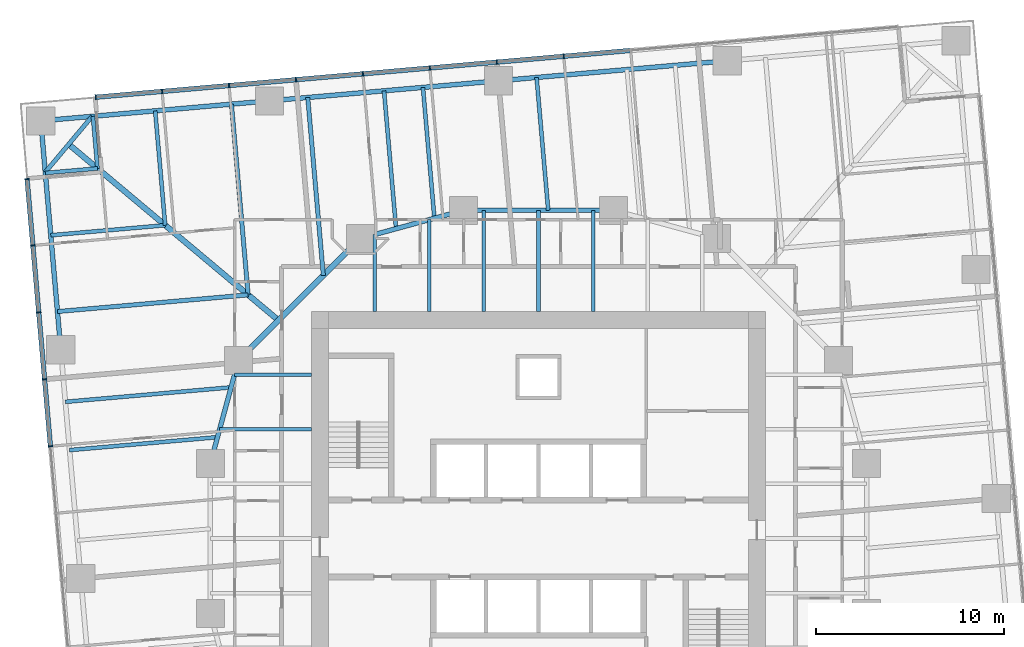
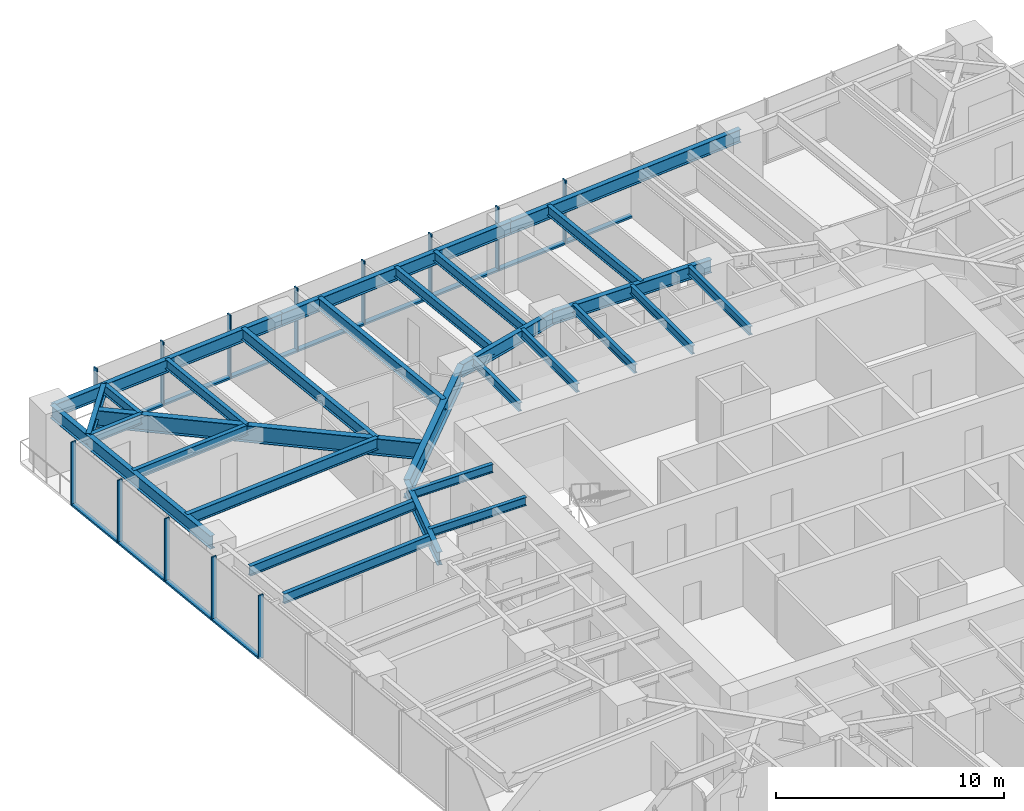
# One storey, part 5 of 14: 29 beams, 25 members, 2 elements without a shape of their own.
"""IFC4 building model written with IfcOpenShell, lengths in metres."""

import ifcopenshell
import ifcopenshell.guid

model = None  # the IFC model being written
_history = None  # IfcOwnerHistory: only IFC2X3 demands one
_inside = {}  # id of a spatial element -> (the spatial element, [elements in it])
_under = {}  # id of a project, library or spatial element -> (it, [spatial elements below it])
_declared = {}  # id of a project -> (the project, [libraries it declares])
_typed = {}  # id of a type object -> (the type object, [elements of that type])
_made_of = {}  # id of a material, layer set ... -> (it, [elements and type objects made of it])


def new_model(schema):
    """Start an empty IFC model of exactly this schema.

    Asked for "IFC4X3", IfcOpenShell would pick the latest addendum, in which some entities
    have other attributes; the version numbers below select the first issue.
    IFC2X3 requires an IfcOwnerHistory on every rooted entity: one is made here for all.
    """
    global model, _history
    if schema == "IFC4X3":
        model = ifcopenshell.file(schema_version=(4, 3, 0, 0))
    else:
        model = ifcopenshell.file(schema=schema)
    _inside.clear()
    _under.clear()
    _declared.clear()
    _typed.clear()
    _made_of.clear()
    _history = None
    if model.schema == "IFC2X3":
        org = make("IfcOrganization", Name="unknown")
        user = make(
            "IfcPersonAndOrganization",
            ThePerson=make("IfcPerson", FamilyName="unknown"),
            TheOrganization=org,
        )
        app = make(
            "IfcApplication",
            ApplicationDeveloper=org,
            Version="unknown",
            ApplicationFullName="unknown",
            ApplicationIdentifier="unknown",
        )
        _history = make(
            "IfcOwnerHistory",
            OwningUser=user,
            OwningApplication=app,
            ChangeAction="ADDED",
            CreationDate=0,
        )
    return model


def make(cls, **values):
    """One entity of the class cls with the attributes given. An attribute that is None is left unset."""
    return model.create_entity(
        cls, **{name: value for name, value in values.items() if value is not None}
    )


def rooted(cls, **values):
    """An entity with a GlobalId (a new one), such as an element, a storey or a relation."""
    return make(cls, GlobalId=ifcopenshell.guid.new(), OwnerHistory=_history, **values)


def si_unit(unit_type, name, prefix=None):
    """IfcSIUnit, for example si_unit("LENGTHUNIT", "METRE", prefix="MILLI")."""
    return make("IfcSIUnit", UnitType=unit_type, Prefix=prefix, Name=name)


def assignment(units):
    """IfcUnitAssignment: the units of a project."""
    return None if units is None else make("IfcUnitAssignment", Units=units)


def point(xyz):
    """IfcCartesianPoint."""
    return None if xyz is None else make("IfcCartesianPoint", Coordinates=xyz)


def direction(xyz):
    """IfcDirection."""
    return None if xyz is None else make("IfcDirection", DirectionRatios=xyz)


def frame(location, z_axis=None, x_axis=None):
    """IfcAxis2Placement3D, a coordinate frame: its origin and axes. An axis left out is left unset."""
    return make(
        "IfcAxis2Placement3D",
        Location=point(location),
        Axis=direction(z_axis),
        RefDirection=direction(x_axis),
    )


def frame_2d(location, x_axis=None):
    """IfcAxis2Placement2D, a coordinate frame in the plane: its origin and x axis."""
    return make(
        "IfcAxis2Placement2D", Location=point(location), RefDirection=direction(x_axis)
    )


def origin():
    """The frame at (0, 0, 0) with its axes left unset."""
    return frame((0.0, 0.0, 0.0))


def origin_2d():
    """The frame at (0, 0) in the plane with its x axis left unset."""
    return frame_2d((0.0, 0.0))


def place(relative_to, where):
    """IfcLocalPlacement: puts the frame where relative to a parent placement (None: the world)."""
    return make(
        "IfcLocalPlacement", PlacementRelTo=relative_to, RelativePlacement=where
    )


def context(
    kind, dimensions, precision=None, world=None, true_north=None, identifier=None
):
    """IfcGeometricRepresentationContext, for example the 3D "Model" context."""
    return make(
        "IfcGeometricRepresentationContext",
        ContextIdentifier=identifier,
        ContextType=kind,
        CoordinateSpaceDimension=dimensions,
        Precision=precision,
        WorldCoordinateSystem=world,
        TrueNorth=true_north,
    )


def subcontext(parent, identifier, kind, view, scale=None):
    """IfcGeometricRepresentationSubContext, for example "Body" below "Model"."""
    return make(
        "IfcGeometricRepresentationSubContext",
        ContextIdentifier=identifier,
        ContextType=kind,
        ParentContext=parent,
        TargetScale=scale,
        TargetView=view,
    )


def project(units=None, contexts=None):
    """IfcProject with its units and contexts."""
    return rooted(
        "IfcProject",
        Name="project",
        RepresentationContexts=contexts,
        UnitsInContext=assignment(units),
    )


def spatial(cls, under=None, at=None, **own):
    """A site, building, storey or space (cls), placed at a placement, below another one or the project."""
    s = rooted(cls, ObjectPlacement=at, **own)
    if under is not None:
        _under.setdefault(under.id(), (under, []))[1].append(s)
    return s


def profile(cls, at=None, kind="AREA", **sizes):
    """A parametric profile (cls). Its sizes go by their IFC names, for example OverallWidth=200.0."""
    return make(cls, ProfileType=kind, Position=at, **sizes)


def rectangle(**sizes):
    """IfcRectangleProfileDef."""
    return profile("IfcRectangleProfileDef", **sizes)


def i_section(**sizes):
    """IfcIShapeProfileDef."""
    return profile("IfcIShapeProfileDef", **sizes)


def extrude(swept, where, along, depth):
    """IfcExtrudedAreaSolid: the profile swept, set in the frame where, extruded along a direction by depth."""
    return make(
        "IfcExtrudedAreaSolid",
        SweptArea=swept,
        Position=where,
        ExtrudedDirection=direction(along),
        Depth=depth,
    )


def shape(context_of_items, identifier, shape_type, items):
    """IfcShapeRepresentation: the items that make up one representation, for example the "Body"."""
    return make(
        "IfcShapeRepresentation",
        ContextOfItems=context_of_items,
        RepresentationIdentifier=identifier,
        RepresentationType=shape_type,
        Items=items,
    )


def material(Name=None, Category=None):
    """IfcMaterial."""
    return make("IfcMaterial", Name=Name, Category=Category)


def material_profile(
    of_material, cross_section, Name=None, Category=None, Priority=None
):
    """IfcMaterialProfile: a cross section and its material."""
    return make(
        "IfcMaterialProfile",
        Name=Name,
        Material=of_material,
        Profile=cross_section,
        Priority=Priority,
        Category=Category,
    )


def profile_set(profiles, Name=None, composite=None):
    """IfcMaterialProfileSet."""
    return make(
        "IfcMaterialProfileSet",
        Name=Name,
        MaterialProfiles=profiles,
        CompositeProfile=composite,
    )


def made_of(thing, what):
    """Note that an element or type object is made of a material, layer set ...; save() writes the relation."""
    if what is not None:
        _made_of.setdefault(what.id(), (what, []))[1].append(thing)
    return thing


def type_object(cls, material=None, **own):
    """A type object (cls), such as IfcWallType, which elements share."""
    return made_of(rooted(cls, **own), material)


def element(
    cls,
    number,
    at=None,
    inside=None,
    cuts=None,
    type_object=None,
    material=None,
    context=None,
    identifier="Body",
    shape_type=None,
    held_by="IfcProductDefinitionShape",
    body=None,
    shapes=None,
    **own,
):
    """One element of the class cls, such as IfcWall. Its Tag is "e" and its number.

    at: its placement. inside: the storey or other place that contains it. cuts: it is an
    opening in that element (IfcRelVoidsElement). A single representation is given by context,
    identifier, shape_type and body (its items); several are given by shapes. held_by: the class
    of the entity that holds the representations. save() writes the other relations.
    """
    e = rooted(cls, Tag="e%d" % number, ObjectPlacement=at, **own)
    if body is not None:
        shapes = [shape(context, identifier, shape_type, body)]
    if shapes is not None:
        e.Representation = make(held_by, Representations=shapes)
    if inside is not None:
        _inside.setdefault(inside.id(), (inside, []))[1].append(e)
    if cuts is not None:
        rooted(
            "IfcRelVoidsElement", RelatingBuildingElement=cuts, RelatedOpeningElement=e
        )
    if type_object is not None:
        _typed.setdefault(type_object.id(), (type_object, []))[1].append(e)
    return made_of(e, material)


def aggregate(whole, parts):
    """IfcRelAggregates: a whole, such as a stair, and the parts it consists of."""
    return rooted("IfcRelAggregates", RelatingObject=whole, RelatedObjects=parts)


def save(model, path):
    """Write the relations noted so far, then the file.

    IfcRelAggregates (storeys below a building ...), IfcRelContainedInSpatialStructure (elements
    in a storey), IfcRelDefinesByType, IfcRelAssociatesMaterial and IfcRelDeclares: one each for
    every whole, place, type object, material and project.
    """
    for whole, parts in _under.values():
        aggregate(whole, parts)
    for where, things in _inside.values():
        rooted(
            "IfcRelContainedInSpatialStructure",
            RelatedElements=things,
            RelatingStructure=where,
        )
    for kind, things in _typed.values():
        rooted("IfcRelDefinesByType", RelatedObjects=things, RelatingType=kind)
    for what, things in _made_of.values():
        rooted("IfcRelAssociatesMaterial", RelatedObjects=things, RelatingMaterial=what)
    for by, libraries in _declared.values():
        rooted("IfcRelDeclares", RelatingContext=by, RelatedDefinitions=libraries)
    model.write(path)


model = new_model("IFC4")

# Units and contexts
model_context = context("Model", 3, precision=1e-05, world=origin(), true_north=direction((0.0, 1.0)))
body_context = subcontext(model_context, "Body", "Model", "MODEL_VIEW")
ifc_project = project(units=[si_unit("LENGTHUNIT", "METRE"), si_unit("AREAUNIT", "SQUARE_METRE"), si_unit("VOLUMEUNIT", "CUBIC_METRE"), si_unit("PLANEANGLEUNIT", "RADIAN"), si_unit("MASSUNIT", "GRAM", prefix="KILO")], contexts=[model_context])

# Site, building, storey
site_placement = place(None, origin())
site = spatial("IfcSite", under=ifc_project, at=site_placement, CompositionType="ELEMENT")
building_placement = place(site_placement, origin())
building = spatial("IfcBuilding", under=site, at=building_placement, Name="Torsade Residences", CompositionType="ELEMENT")
storey_placement = place(building_placement, frame((0.0, 0.0, 57.39990234375)))
storey = spatial("IfcBuildingStorey", under=building, at=storey_placement, Name="L15", CompositionType="ELEMENT", Elevation=57.39990234375)

# Beams
ifc_material_1 = material(Name="Steel grade 300", Category="steel")
ifc_material_profile_1 = material_profile(ifc_material_1, i_section(OverallWidth=0.300048828125, OverallDepth=0.89990234375, WebThickness=0.011962890625, FlangeThickness=0.02490234375, at=origin_2d()), Name="900WB175")
ifc_profile_set_1 = profile_set([ifc_material_profile_1], Name="Steel grade 300")
beam_type_1 = type_object("IfcBeamType", Name="CORNER GIRDER 900WB175", PredefinedType="BEAM", material=ifc_profile_set_1)
beam_1_placement = place(storey_placement, frame((14.947509765625, 51.021484375, 2.800048828125), z_axis=(0.766046281307, -0.642785419012, 0.0), x_axis=(0.642785419012, 0.766046281307, 0.0)))
element("IfcBeam", 1, at=beam_1_placement, inside=storey, type_object=beam_type_1, Name="Corner girder 13 L16", PredefinedType="BEAM", context=body_context, shape_type="SweptSolid", body=[
    extrude(i_section(OverallWidth=0.300048828125, OverallDepth=0.89990234375, WebThickness=0.011962890625, FlangeThickness=0.02490234375, at=origin_2d()), origin(), (0.0, 0.0, 1.0), 14.603515625),
])
ifc_material_2 = material(Name="Steel grade 300", Category="steel")
ifc_material_profile_2 = material_profile(ifc_material_2, i_section(OverallWidth=0.22802734375, OverallDepth=0.60205078125, WebThickness=0.010498046875, FlangeThickness=0.014892578125, FilletRadius=0.013916015625, at=origin_2d()), Name="610UB101")
ifc_profile_set_2 = profile_set([ifc_material_profile_2], Name="Steel grade 300")
beam_type_2 = type_object("IfcBeamType", Name="CORNER TRIMMER 610UB101", PredefinedType="BEAM", material=ifc_profile_set_2)
beam_2_placement = place(storey_placement, frame((13.697509765625, 49.531982421875, 2.94921875), z_axis=(0.642804819911, 0.766030001697, 0.0), x_axis=(-0.766030001697, 0.642804819911, 0.0)))
element("IfcBeam", 2, at=beam_2_placement, inside=storey, type_object=beam_type_2, Name="Corner trimmer 13 L16", PredefinedType="BEAM", context=body_context, shape_type="SweptSolid", body=[
    extrude(i_section(OverallWidth=0.22802734375, OverallDepth=0.60205078125, WebThickness=0.010498046875, FlangeThickness=0.014892578125, FilletRadius=0.013916015625, at=origin_2d()), origin(), (0.0, 0.0, 1.0), 3.88916015625),
])

# Curtain wall, members
ifc_material_3 = material(Name="Aluminium and glass", Category="aluminium")
curtain_wall_type = type_object("IfcCurtainWallType", Name="FRITTED GLASS CURTAIN WALL LOW ZONE", PredefinedType="NOTDEFINED", material=ifc_material_3)
curtain_wall_1_placement = place(storey_placement, origin())
curtain_wall_1 = element("IfcCurtainWall", 3, at=curtain_wall_1_placement, inside=storey, type_object=curtain_wall_type, Name="Curtain wall L15 face 7", PredefinedType="NOTDEFINED")
ifc_material_4 = material(Name="Aluminium mullion", Category="aluminium")
ifc_material_profile_3 = material_profile(ifc_material_4, rectangle(XDim=0.25, YDim=0.06494140625, at=origin_2d()), Name="CURTAIN WALL MULLION 250x65")
ifc_profile_set_3 = profile_set([ifc_material_profile_3], Name="Aluminium mullion")
member_type_1 = type_object("IfcMemberType", Name="CURTAIN WALL MULLION 250x65", PredefinedType="MULLION", material=ifc_profile_set_3)
member_1_placement = place(storey_placement, frame((41.34716796875, 55.71533203125, 0.0), z_axis=(0.0, 0.0, 1.0), x_axis=(0.087155744208, -0.996194697964, 0.0)))
member_1 = element("IfcMember", 4, at=member_1_placement, type_object=member_type_1, Name="Mullion 6", PredefinedType="MULLION", context=body_context, shape_type="SweptSolid", body=[
    extrude(rectangle(XDim=0.25, YDim=0.06494140625, at=origin_2d()), origin(), (0.0, 0.0, 1.0), 3.400146484375),
])
member_2_placement = place(storey_placement, frame((37.777587890625, 55.403076171875, 0.0), z_axis=(0.0, 0.0, 1.0), x_axis=(0.087155744208, -0.996194697964, 0.0)))
member_2 = element("IfcMember", 5, at=member_2_placement, type_object=member_type_1, Name="Mullion 7", PredefinedType="MULLION", context=body_context, shape_type="SweptSolid", body=[
    extrude(rectangle(XDim=0.25, YDim=0.06494140625, at=origin_2d()), origin(), (0.0, 0.0, 1.0), 3.400146484375),
])
member_3_placement = place(storey_placement, frame((34.207763671875, 55.090576171875, 0.0), z_axis=(0.0, 0.0, 1.0), x_axis=(0.087155744208, -0.996194697964, 0.0)))
member_3 = element("IfcMember", 6, at=member_3_placement, type_object=member_type_1, Name="Mullion 8", PredefinedType="MULLION", context=body_context, shape_type="SweptSolid", body=[
    extrude(rectangle(XDim=0.25, YDim=0.06494140625, at=origin_2d()), origin(), (0.0, 0.0, 1.0), 3.400146484375),
])
member_4_placement = place(storey_placement, frame((30.63818359375, 54.7783203125, 0.0), z_axis=(0.0, 0.0, 1.0), x_axis=(0.087155744208, -0.996194697964, 0.0)))
member_4 = element("IfcMember", 7, at=member_4_placement, type_object=member_type_1, Name="Mullion 9", PredefinedType="MULLION", context=body_context, shape_type="SweptSolid", body=[
    extrude(rectangle(XDim=0.25, YDim=0.06494140625, at=origin_2d()), origin(), (0.0, 0.0, 1.0), 3.400146484375),
])
member_5_placement = place(storey_placement, frame((27.068359375, 54.466064453125, 0.0), z_axis=(0.0, 0.0, 1.0), x_axis=(0.087155744208, -0.996194697964, 0.0)))
member_5 = element("IfcMember", 8, at=member_5_placement, type_object=member_type_1, Name="Mullion 10", PredefinedType="MULLION", context=body_context, shape_type="SweptSolid", body=[
    extrude(rectangle(XDim=0.25, YDim=0.06494140625, at=origin_2d()), origin(), (0.0, 0.0, 1.0), 3.400146484375),
])
member_6_placement = place(storey_placement, frame((23.498779296875, 54.15380859375, 0.0), z_axis=(0.0, 0.0, 1.0), x_axis=(0.087155744208, -0.996194697964, 0.0)))
member_6 = element("IfcMember", 9, at=member_6_placement, type_object=member_type_1, Name="Mullion 11", PredefinedType="MULLION", context=body_context, shape_type="SweptSolid", body=[
    extrude(rectangle(XDim=0.25, YDim=0.06494140625, at=origin_2d()), origin(), (0.0, 0.0, 1.0), 3.400146484375),
])
member_7_placement = place(storey_placement, frame((19.928955078125, 53.84130859375, 0.0), z_axis=(0.0, 0.0, 1.0), x_axis=(0.087155744208, -0.996194697964, 0.0)))
member_7 = element("IfcMember", 10, at=member_7_placement, type_object=member_type_1, Name="Mullion 12", PredefinedType="MULLION", context=body_context, shape_type="SweptSolid", body=[
    extrude(rectangle(XDim=0.25, YDim=0.06494140625, at=origin_2d()), origin(), (0.0, 0.0, 1.0), 3.400146484375),
])
member_8_placement = place(storey_placement, frame((16.3916015625, 53.531982421875, 0.0), z_axis=(0.0, 0.0, 1.0), x_axis=(0.087155744208, -0.996194697964, 0.0)))
member_8 = element("IfcMember", 11, at=member_8_placement, type_object=member_type_1, Name="Mullion 13", PredefinedType="MULLION", context=body_context, shape_type="SweptSolid", body=[
    extrude(rectangle(XDim=0.25, YDim=0.06494140625, at=origin_2d()), origin(), (0.0, 0.0, 1.0), 3.400146484375),
])

curtain_wall_2_placement = place(storey_placement, origin())
curtain_wall_2 = element("IfcCurtainWall", 12, at=curtain_wall_2_placement, inside=storey, type_object=curtain_wall_type, Name="Curtain wall L15 face 10", PredefinedType="NOTDEFINED")
member_9_placement = place(storey_placement, frame((12.72607421875, 49.163330078125, 0.0), z_axis=(0.0, 0.0, 1.0), x_axis=(0.996194697964, 0.087155744208, 0.0)))
member_9 = element("IfcMember", 13, at=member_9_placement, type_object=member_type_1, Name="Mullion 1", PredefinedType="MULLION", context=body_context, shape_type="SweptSolid", body=[
    extrude(rectangle(XDim=0.25, YDim=0.06494140625, at=origin_2d()), origin(), (0.0, 0.0, 1.0), 3.400146484375),
])
member_10_placement = place(storey_placement, frame((13.035400390625, 45.6259765625, 0.0), z_axis=(0.0, 0.0, 1.0), x_axis=(0.996194697964, 0.087155744208, 0.0)))
member_10 = element("IfcMember", 14, at=member_10_placement, type_object=member_type_1, Name="Mullion 2", PredefinedType="MULLION", context=body_context, shape_type="SweptSolid", body=[
    extrude(rectangle(XDim=0.25, YDim=0.06494140625, at=origin_2d()), origin(), (0.0, 0.0, 1.0), 3.400146484375),
])
member_11_placement = place(storey_placement, frame((13.347900390625, 42.056396484375, 0.0), z_axis=(0.0, 0.0, 1.0), x_axis=(0.996194697964, 0.087155744208, 0.0)))
member_11 = element("IfcMember", 15, at=member_11_placement, type_object=member_type_1, Name="Mullion 3", PredefinedType="MULLION", context=body_context, shape_type="SweptSolid", body=[
    extrude(rectangle(XDim=0.25, YDim=0.06494140625, at=origin_2d()), origin(), (0.0, 0.0, 1.0), 3.400146484375),
])
member_12_placement = place(storey_placement, frame((13.66015625, 38.486572265625, 0.0), z_axis=(0.0, 0.0, 1.0), x_axis=(0.996194697964, 0.087155744208, 0.0)))
member_12 = element("IfcMember", 16, at=member_12_placement, type_object=member_type_1, Name="Mullion 4", PredefinedType="MULLION", context=body_context, shape_type="SweptSolid", body=[
    extrude(rectangle(XDim=0.25, YDim=0.06494140625, at=origin_2d()), origin(), (0.0, 0.0, 1.0), 3.400146484375),
])
member_13_placement = place(storey_placement, frame((13.972412109375, 34.9169921875, 0.0), z_axis=(0.0, 0.0, 1.0), x_axis=(0.996194697964, 0.087155744208, 0.0)))
member_13 = element("IfcMember", 17, at=member_13_placement, type_object=member_type_1, Name="Mullion 5", PredefinedType="MULLION", context=body_context, shape_type="SweptSolid", body=[
    extrude(rectangle(XDim=0.25, YDim=0.06494140625, at=origin_2d()), origin(), (0.0, 0.0, 1.0), 3.400146484375),
])

# Member
ifc_material_5 = material(Name="Aluminium transom", Category="aluminium")
ifc_material_profile_4 = material_profile(ifc_material_5, rectangle(XDim=0.25, YDim=0.10009765625, at=origin_2d()), Name="CURTAIN WALL TRANSOM 250x100")
ifc_profile_set_4 = profile_set([ifc_material_profile_4], Name="Aluminium transom")
member_type_2 = type_object("IfcMemberType", Name="CURTAIN WALL TRANSOM 250x100", PredefinedType="USERDEFINED", material=ifc_profile_set_4)
member_14_placement = place(storey_placement, frame((44.884521484375, 56.024658203125, 0.050048828125), z_axis=(-0.996194621295, -0.087156620531, 0.0), x_axis=(0.087156620531, -0.996194621295, 0.0)))
member_14 = element("IfcMember", 18, at=member_14_placement, type_object=member_type_2, Name="Transom 5.1", ObjectType="TRANSOM", PredefinedType="USERDEFINED", context=body_context, shape_type="SweptSolid", body=[
    extrude(rectangle(XDim=0.25, YDim=0.10009765625, at=origin_2d()), origin(), (0.0, 0.0, 1.0), 3.518310546875),
])

member_15_placement = place(storey_placement, frame((41.31494140625, 55.71240234375, 0.050048828125), z_axis=(-0.996195148363, -0.08715059597, 0.0), x_axis=(0.08715059597, -0.996195148363, 0.0)))
member_15 = element("IfcMember", 19, at=member_15_placement, type_object=member_type_2, Name="Transom 6.1", ObjectType="TRANSOM", PredefinedType="USERDEFINED", context=body_context, shape_type="SweptSolid", body=[
    extrude(rectangle(XDim=0.25, YDim=0.10009765625, at=origin_2d()), origin(), (0.0, 0.0, 1.0), 3.5185546875),
])

member_16_placement = place(storey_placement, frame((37.7451171875, 55.400146484375, 0.050048828125), z_axis=(-0.996194621295, -0.087156620531, 0.0), x_axis=(0.087156620531, -0.996194621295, 0.0)))
member_16 = element("IfcMember", 20, at=member_16_placement, type_object=member_type_2, Name="Transom 7.1", ObjectType="TRANSOM", PredefinedType="USERDEFINED", context=body_context, shape_type="SweptSolid", body=[
    extrude(rectangle(XDim=0.25, YDim=0.10009765625, at=origin_2d()), origin(), (0.0, 0.0, 1.0), 3.518310546875),
])

member_17_placement = place(storey_placement, frame((34.175537109375, 55.087890625, 0.050048828125), z_axis=(-0.996195148363, -0.08715059597, 0.0), x_axis=(0.08715059597, -0.996195148363, 0.0)))
member_17 = element("IfcMember", 21, at=member_17_placement, type_object=member_type_2, Name="Transom 8.1", ObjectType="TRANSOM", PredefinedType="USERDEFINED", context=body_context, shape_type="SweptSolid", body=[
    extrude(rectangle(XDim=0.25, YDim=0.10009765625, at=origin_2d()), origin(), (0.0, 0.0, 1.0), 3.5185546875),
])

member_18_placement = place(storey_placement, frame((30.605712890625, 54.775634765625, 0.050048828125), z_axis=(-0.996194621295, -0.087156620531, 0.0), x_axis=(0.087156620531, -0.996194621295, 0.0)))
member_18 = element("IfcMember", 22, at=member_18_placement, type_object=member_type_2, Name="Transom 9.1", ObjectType="TRANSOM", PredefinedType="USERDEFINED", context=body_context, shape_type="SweptSolid", body=[
    extrude(rectangle(XDim=0.25, YDim=0.10009765625, at=origin_2d()), origin(), (0.0, 0.0, 1.0), 3.518310546875),
])

member_19_placement = place(storey_placement, frame((27.0361328125, 54.463134765625, 0.050048828125), z_axis=(-0.996195148363, -0.08715059597, 0.0), x_axis=(0.08715059597, -0.996195148363, 0.0)))
member_19 = element("IfcMember", 23, at=member_19_placement, type_object=member_type_2, Name="Transom 10.1", ObjectType="TRANSOM", PredefinedType="USERDEFINED", context=body_context, shape_type="SweptSolid", body=[
    extrude(rectangle(XDim=0.25, YDim=0.10009765625, at=origin_2d()), origin(), (0.0, 0.0, 1.0), 3.5185546875),
])

member_20_placement = place(storey_placement, frame((23.46630859375, 54.15087890625, 0.050048828125), z_axis=(-0.996194621295, -0.087156620531, 0.0), x_axis=(0.087156620531, -0.996194621295, 0.0)))
member_20 = element("IfcMember", 24, at=member_20_placement, type_object=member_type_2, Name="Transom 11.1", ObjectType="TRANSOM", PredefinedType="USERDEFINED", context=body_context, shape_type="SweptSolid", body=[
    extrude(rectangle(XDim=0.25, YDim=0.10009765625, at=origin_2d()), origin(), (0.0, 0.0, 1.0), 3.518310546875),
])

member_21_placement = place(storey_placement, frame((19.896728515625, 53.838623046875, 0.050048828125), z_axis=(-0.996191284475, -0.08719475177, 0.0), x_axis=(0.08719475177, -0.996191284475, 0.0)))
member_21 = element("IfcMember", 25, at=member_21_placement, type_object=member_type_2, Name="Transom 12.1", ObjectType="TRANSOM", PredefinedType="USERDEFINED", context=body_context, shape_type="SweptSolid", body=[
    extrude(rectangle(XDim=0.25, YDim=0.10009765625, at=origin_2d()), origin(), (0.0, 0.0, 1.0), 3.48583984375),
])

aggregate(curtain_wall_1, [member_1, member_2, member_3, member_4, member_5, member_6, member_7, member_8, member_14, member_15, member_16, member_17, member_18, member_19, member_20, member_21])

member_22_placement = place(storey_placement, frame((12.728759765625, 49.130859375, 0.050048828125), z_axis=(0.0872008357, -0.996190751941, 0.0), x_axis=(0.996190751941, 0.0872008357, 0.0)))
member_22 = element("IfcMember", 26, at=member_22_placement, type_object=member_type_2, Name="Transom 1.1", ObjectType="TRANSOM", PredefinedType="USERDEFINED", context=body_context, shape_type="SweptSolid", body=[
    extrude(rectangle(XDim=0.25, YDim=0.10009765625, at=origin_2d()), origin(), (0.0, 0.0, 1.0), 3.485595703125),
])

member_23_placement = place(storey_placement, frame((13.038330078125, 45.59375, 0.050048828125), z_axis=(0.08715059597, -0.996195148363, 0.0), x_axis=(0.996195148363, 0.08715059597, 0.0)))
member_23 = element("IfcMember", 27, at=member_23_placement, type_object=member_type_2, Name="Transom 2.1", ObjectType="TRANSOM", PredefinedType="USERDEFINED", context=body_context, shape_type="SweptSolid", body=[
    extrude(rectangle(XDim=0.25, YDim=0.10009765625, at=origin_2d()), origin(), (0.0, 0.0, 1.0), 3.5185546875),
])

member_24_placement = place(storey_placement, frame((13.3505859375, 42.02392578125, 0.050048828125), z_axis=(0.087156620531, -0.996194621295, 0.0), x_axis=(0.996194621295, 0.087156620531, 0.0)))
member_24 = element("IfcMember", 28, at=member_24_placement, type_object=member_type_2, Name="Transom 3.1", ObjectType="TRANSOM", PredefinedType="USERDEFINED", context=body_context, shape_type="SweptSolid", body=[
    extrude(rectangle(XDim=0.25, YDim=0.10009765625, at=origin_2d()), origin(), (0.0, 0.0, 1.0), 3.518310546875),
])

member_25_placement = place(storey_placement, frame((13.662841796875, 38.454345703125, 0.050048828125), z_axis=(0.08715059597, -0.996195148363, 0.0), x_axis=(0.996195148363, 0.08715059597, 0.0)))
member_25 = element("IfcMember", 29, at=member_25_placement, type_object=member_type_2, Name="Transom 4.1", ObjectType="TRANSOM", PredefinedType="USERDEFINED", context=body_context, shape_type="SweptSolid", body=[
    extrude(rectangle(XDim=0.25, YDim=0.10009765625, at=origin_2d()), origin(), (0.0, 0.0, 1.0), 3.5185546875),
])

aggregate(curtain_wall_2, [member_9, member_10, member_11, member_12, member_13, member_22, member_23, member_24, member_25])

# Beams
ifc_material_6 = material(Name="Steel grade 300", Category="steel")
ifc_material_profile_5 = material_profile(ifc_material_6, i_section(OverallWidth=0.25, OverallDepth=0.699951171875, WebThickness=0.010009765625, FlangeThickness=0.02001953125, at=origin_2d()), Name="700WB130")
ifc_profile_set_5 = profile_set([ifc_material_profile_5], Name="Steel grade 300")
beam_type_3 = type_object("IfcBeamType", Name="EDGE BEAM 700WB130", PredefinedType="SPANDREL", material=ifc_profile_set_5)
for number, where, z_axis, x_axis, name in (
    (30, (50.068115234375, 55.474365234375, 2.900146484375), (-0.996194907201, -0.08715335259, 0.0), (0.08715335259, -0.996194907201, 0.0), "Edge beam 10 L16"),
    (31, (37.86474609375, 54.40673828125, 2.900146484375), (-0.996194907201, -0.08715335259, 0.0), (0.08715335259, -0.996194907201, 0.0), "Edge beam 11 L16"),
    (32, (25.661376953125, 53.339111328125, 2.900146484375), (-0.996194907201, -0.08715335259, 0.0), (0.08715335259, -0.996194907201, 0.0), "Edge beam 12 L16"),
    (33, (13.4580078125, 52.271484375, 2.900146484375), (0.08715335259, -0.996194907201, 0.0), (0.996194907201, 0.08715335259, 0.0), "Edge beam 13 L16"),
):
    element("IfcBeam", number, at=place(storey_placement, frame(where, z_axis=z_axis, x_axis=x_axis)), inside=storey, type_object=beam_type_3, Name=name, PredefinedType="SPANDREL", context=body_context, shape_type="SweptSolid", body=[
        extrude(i_section(OverallWidth=0.25, OverallDepth=0.699951171875, WebThickness=0.010009765625, FlangeThickness=0.02001953125, at=origin_2d()), origin(), (0.0, 0.0, 1.0), 12.25),
    ])
ifc_material_7 = material(Name="Steel grade 300", Category="steel")
ifc_material_profile_6 = material_profile(ifc_material_7, i_section(OverallWidth=0.18994140625, OverallDepth=0.4541015625, WebThickness=0.008544921875, FlangeThickness=0.0126953125, FilletRadius=0.011474609375, at=origin_2d()), Name="460UB67.1")
ifc_profile_set_6 = profile_set([ifc_material_profile_6], Name="Steel grade 300")
beam_type_4 = type_object("IfcBeamType", Name="INNER FLOOR BEAM 460UB67.1", PredefinedType="JOIST", material=ifc_profile_set_6)
beam_3_placement = place(storey_placement, frame((31.262451171875, 42.10009765625, 3.023193359375), z_axis=(0.0, 1.0, 0.0), x_axis=(-1.0, 0.0, 0.0)))
element("IfcBeam", 34, at=beam_3_placement, inside=storey, type_object=beam_type_4, Name="Inner floor beam IN01 L16", PredefinedType="JOIST", context=body_context, shape_type="SweptSolid", body=[
    extrude(i_section(OverallWidth=0.18994140625, OverallDepth=0.4541015625, WebThickness=0.008544921875, FlangeThickness=0.0126953125, FilletRadius=0.011474609375, at=origin_2d()), origin(), (0.0, 0.0, 1.0), 4.10791015625),
])
beam_4_placement = place(storey_placement, frame((34.175048828125, 42.10009765625, 3.023193359375), z_axis=(0.0, 1.0, 0.0), x_axis=(-1.0, 0.0, 0.0)))
element("IfcBeam", 35, at=beam_4_placement, inside=storey, type_object=beam_type_4, Name="Inner floor beam IN02 L16", PredefinedType="JOIST", context=body_context, shape_type="SweptSolid", body=[
    extrude(i_section(OverallWidth=0.18994140625, OverallDepth=0.4541015625, WebThickness=0.008544921875, FlangeThickness=0.0126953125, FilletRadius=0.011474609375, at=origin_2d()), origin(), (0.0, 0.0, 1.0), 4.902099609375),
])
for number, where, z_axis, x_axis, name in (
    (36, (37.08740234375, 42.10009765625, 3.023193359375), (0.0, 1.0, 0.0), (-1.0, 0.0, 0.0), "Inner floor beam IN03 L16"),
    (37, (40.0, 42.10009765625, 3.023193359375), (0.0, 1.0, 0.0), (-1.0, 0.0, 0.0), "Inner floor beam IN04 L16"),
    (38, (42.91259765625, 42.10009765625, 3.023193359375), (0.0, 1.0, 0.0), (-1.0, 0.0, 0.0), "Inner floor beam IN05 L16"),
):
    element("IfcBeam", number, at=place(storey_placement, frame(where, z_axis=z_axis, x_axis=x_axis)), inside=storey, type_object=beam_type_4, Name=name, PredefinedType="JOIST", context=body_context, shape_type="SweptSolid", body=[
        extrude(i_section(OverallWidth=0.18994140625, OverallDepth=0.4541015625, WebThickness=0.008544921875, FlangeThickness=0.0126953125, FilletRadius=0.011474609375, at=origin_2d()), origin(), (0.0, 0.0, 1.0), 5.39990234375),
    ])
beam_5_placement = place(storey_placement, frame((27.89990234375, 38.737548828125, 3.023193359375), z_axis=(-1.0, 0.0, 0.0), x_axis=(0.0, -1.0, 0.0)))
element("IfcBeam", 39, at=beam_5_placement, inside=storey, type_object=beam_type_4, Name="Inner floor beam IW01 L16", PredefinedType="JOIST", context=body_context, shape_type="SweptSolid", body=[
    extrude(i_section(OverallWidth=0.18994140625, OverallDepth=0.4541015625, WebThickness=0.008544921875, FlangeThickness=0.0126953125, FilletRadius=0.011474609375, at=origin_2d()), origin(), (0.0, 0.0, 1.0), 4.10791015625),
])
beam_6_placement = place(storey_placement, frame((27.89990234375, 35.824951171875, 3.023193359375), z_axis=(-1.0, 0.0, 0.0), x_axis=(0.0, -1.0, 0.0)))
element("IfcBeam", 40, at=beam_6_placement, inside=storey, type_object=beam_type_4, Name="Inner floor beam IW02 L16", PredefinedType="JOIST", context=body_context, shape_type="SweptSolid", body=[
    extrude(i_section(OverallWidth=0.18994140625, OverallDepth=0.4541015625, WebThickness=0.008544921875, FlangeThickness=0.0126953125, FilletRadius=0.011474609375, at=origin_2d()), origin(), (0.0, 0.0, 1.0), 4.902099609375),
])
ifc_material_8 = material(Name="Steel grade 300", Category="steel")
ifc_material_profile_7 = material_profile(ifc_material_8, i_section(OverallWidth=0.300048828125, OverallDepth=1.0, WebThickness=0.01611328125, FlangeThickness=0.028076171875, at=origin_2d()), Name="1000WB215")
ifc_profile_set_7 = profile_set([ifc_material_profile_7], Name="Steel grade 300")
beam_type_5 = type_object("IfcBeamType", Name="RING CORNER GIRDER 1000WB215", PredefinedType="BEAM", material=ifc_profile_set_7)
beam_7_placement = place(storey_placement, frame((30.5, 46.0, 2.75), z_axis=(-0.707106781187, -0.707106781187, 0.0), x_axis=(0.707106781187, -0.707106781187, 0.0)))
element("IfcBeam", 41, at=beam_7_placement, inside=storey, type_object=beam_type_5, Name="Ring girder IR07 L16", PredefinedType="BEAM", context=body_context, shape_type="SweptSolid", body=[
    extrude(i_section(OverallWidth=0.300048828125, OverallDepth=1.0, WebThickness=0.01611328125, FlangeThickness=0.028076171875, at=origin_2d()), origin(), (0.0, 0.0, 1.0), 9.1923828125),
])
ifc_material_9 = material(Name="Steel grade 300", Category="steel")
ifc_material_profile_8 = material_profile(ifc_material_9, i_section(OverallWidth=0.25, OverallDepth=0.699951171875, WebThickness=0.010009765625, FlangeThickness=0.02001953125, at=origin_2d()), Name="700WB130")
ifc_profile_set_8 = profile_set([ifc_material_profile_8], Name="Steel grade 300")
beam_type_6 = type_object("IfcBeamType", Name="RING GIRDER 700WB130", PredefinedType="BEAM", material=ifc_profile_set_8)
beam_8_placement = place(storey_placement, frame((44.0, 47.5, 2.900146484375), z_axis=(-1.0, 0.0, 0.0), x_axis=(0.0, -1.0, 0.0)))
element("IfcBeam", 42, at=beam_8_placement, inside=storey, type_object=beam_type_6, Name="Ring girder IR05 L16", PredefinedType="BEAM", context=body_context, shape_type="SweptSolid", body=[
    extrude(i_section(OverallWidth=0.25, OverallDepth=0.699951171875, WebThickness=0.010009765625, FlangeThickness=0.02001953125, at=origin_2d()), origin(), (0.0, 0.0, 1.0), 8.0),
])
for number, where, z_axis, x_axis, name in (
    (43, (36.0, 47.5, 2.900146484375), (-0.964763821238, -0.263117405792, 0.0), (0.263117405792, -0.964763821238, 0.0), "Ring girder IR06 L16"),
    (44, (24.0, 39.5, 2.900146484375), (-0.263117405792, -0.964763821238, 0.0), (0.964763821238, -0.263117405792, 0.0), "Ring girder IR08 L16"),
):
    element("IfcBeam", number, at=place(storey_placement, frame(where, z_axis=z_axis, x_axis=x_axis)), inside=storey, type_object=beam_type_6, Name=name, PredefinedType="BEAM", context=body_context, shape_type="SweptSolid", body=[
        extrude(i_section(OverallWidth=0.25, OverallDepth=0.699951171875, WebThickness=0.010009765625, FlangeThickness=0.02001953125, at=origin_2d()), origin(), (0.0, 0.0, 1.0), 5.700927734375),
    ])
ifc_material_10 = material(Name="Steel grade 300", Category="steel")
ifc_material_profile_9 = material_profile(ifc_material_10, i_section(OverallWidth=0.208984375, OverallDepth=0.528076171875, WebThickness=0.009521484375, FlangeThickness=0.01318359375, FilletRadius=0.013916015625, at=origin_2d()), Name="530UB82.0")
ifc_profile_set_9 = profile_set([ifc_material_profile_9], Name="Steel grade 300")
beam_type_7 = type_object("IfcBeamType", Name="SECONDARY BEAM 530UB82.0", PredefinedType="JOIST", material=ifc_profile_set_9)
beam_9_placement = place(storey_placement, frame((39.898681640625, 54.584716796875, 2.986083984375), z_axis=(0.087127345813, -0.996197182094, 0.0), x_axis=(0.996197182094, 0.087127345813, 0.0)))
element("IfcBeam", 45, at=beam_9_placement, inside=storey, type_object=beam_type_7, Name="Floor beam FN06 L16", PredefinedType="JOIST", context=body_context, shape_type="SweptSolid", body=[
    extrude(i_section(OverallWidth=0.208984375, OverallDepth=0.528076171875, WebThickness=0.009521484375, FlangeThickness=0.01318359375, FilletRadius=0.013916015625, at=origin_2d()), origin(), (0.0, 0.0, 1.0), 7.11181640625),
])
beam_10_placement = place(storey_placement, frame((33.83837890625, 54.054443359375, 2.986083984375), z_axis=(0.087175598142, -0.99619296077, 0.0), x_axis=(0.99619296077, 0.087175598142, 0.0)))
element("IfcBeam", 46, at=beam_10_placement, inside=storey, type_object=beam_type_7, Name="Floor beam FN07 L16", PredefinedType="JOIST", context=body_context, shape_type="SweptSolid", body=[
    extrude(i_section(OverallWidth=0.208984375, OverallDepth=0.528076171875, WebThickness=0.009521484375, FlangeThickness=0.01318359375, FilletRadius=0.013916015625, at=origin_2d()), origin(), (0.0, 0.0, 1.0), 7.004150390625),
])
beam_11_placement = place(storey_placement, frame((31.762939453125, 53.873046875, 2.986083984375), z_axis=(0.087156282128, -0.996194650902, 0.0), x_axis=(0.996194650902, 0.087156282128, 0.0)))
element("IfcBeam", 47, at=beam_11_placement, inside=storey, type_object=beam_type_7, Name="Floor beam FN08 L16", PredefinedType="JOIST", context=body_context, shape_type="SweptSolid", body=[
    extrude(i_section(OverallWidth=0.208984375, OverallDepth=0.528076171875, WebThickness=0.009521484375, FlangeThickness=0.01318359375, FilletRadius=0.013916015625, at=origin_2d()), origin(), (0.0, 0.0, 1.0), 7.381103515625),
])
beam_12_placement = place(storey_placement, frame((19.5595703125, 52.80517578125, 2.986083984375), z_axis=(0.087174861801, -0.996193025206, 0.0), x_axis=(0.996193025206, 0.087174861801, 0.0)))
element("IfcBeam", 48, at=beam_12_placement, inside=storey, type_object=beam_type_7, Name="Floor beam FN11 L16", PredefinedType="JOIST", context=body_context, shape_type="SweptSolid", body=[
    extrude(i_section(OverallWidth=0.208984375, OverallDepth=0.528076171875, WebThickness=0.009521484375, FlangeThickness=0.01318359375, FilletRadius=0.013916015625, at=origin_2d()), origin(), (0.0, 0.0, 1.0), 6.125),
])
for number, where, z_axis, x_axis, name in (
    (49, (16.239013671875, 52.5146484375, 2.986083984375), (0.087105111923, -0.996199126418, 0.0), (0.996199126418, 0.087105111923, 0.0), "Floor beam FN12 L16"),
    (50, (13.701171875, 49.490478515625, 2.986083984375), (0.996199126418, 0.087105111923, 0.0), (-0.087105111923, 0.996199126418, 0.0), "Floor beam FW01 L16"),
):
    element("IfcBeam", number, at=place(storey_placement, frame(where, z_axis=z_axis, x_axis=x_axis)), inside=storey, type_object=beam_type_7, Name=name, PredefinedType="JOIST", context=body_context, shape_type="SweptSolid", body=[
        extrude(i_section(OverallWidth=0.208984375, OverallDepth=0.528076171875, WebThickness=0.009521484375, FlangeThickness=0.01318359375, FilletRadius=0.013916015625, at=origin_2d()), origin(), (0.0, 0.0, 1.0), 2.79150390625),
    ])
beam_13_placement = place(storey_placement, frame((13.99169921875, 46.169677734375, 2.986083984375), z_axis=(0.996193328106, 0.087171400335, 0.0), x_axis=(-0.087171400335, 0.996193328106, 0.0)))
element("IfcBeam", 51, at=beam_13_placement, inside=storey, type_object=beam_type_7, Name="Floor beam FW02 L16", PredefinedType="JOIST", context=body_context, shape_type="SweptSolid", body=[
    extrude(i_section(OverallWidth=0.208984375, OverallDepth=0.528076171875, WebThickness=0.009521484375, FlangeThickness=0.01318359375, FilletRadius=0.013916015625, at=origin_2d()), origin(), (0.0, 0.0, 1.0), 6.125244140625),
])
beam_14_placement = place(storey_placement, frame((14.768798828125, 37.287109375, 2.986083984375), z_axis=(0.996195539225, 0.08714612802, 0.0), x_axis=(-0.08714612802, 0.996195539225, 0.0)))
element("IfcBeam", 52, at=beam_14_placement, inside=storey, type_object=beam_type_7, Name="Floor beam FW04 L16", PredefinedType="JOIST", context=body_context, shape_type="SweptSolid", body=[
    extrude(i_section(OverallWidth=0.208984375, OverallDepth=0.528076171875, WebThickness=0.009521484375, FlangeThickness=0.01318359375, FilletRadius=0.013916015625, at=origin_2d()), origin(), (0.0, 0.0, 1.0), 8.872314453125),
])
beam_15_placement = place(storey_placement, frame((14.994140625, 34.713623046875, 2.986083984375), z_axis=(0.996194520605, 0.087157771408, 0.0), x_axis=(-0.087157771408, 0.996194520605, 0.0)))
element("IfcBeam", 53, at=beam_15_placement, inside=storey, type_object=beam_type_7, Name="Floor beam FW05 L16", PredefinedType="JOIST", context=body_context, shape_type="SweptSolid", body=[
    extrude(i_section(OverallWidth=0.208984375, OverallDepth=0.528076171875, WebThickness=0.009521484375, FlangeThickness=0.01318359375, FilletRadius=0.013916015625, at=origin_2d()), origin(), (0.0, 0.0, 1.0), 7.918701171875),
])
ifc_material_11 = material(Name="Steel grade 300", Category="steel")
ifc_material_profile_10 = material_profile(ifc_material_11, i_section(OverallWidth=0.22900390625, OverallDepth=0.612060546875, WebThickness=0.011962890625, FlangeThickness=0.01953125, FilletRadius=0.013916015625, at=origin_2d()), Name="610UB125")
ifc_profile_set_10 = profile_set([ifc_material_profile_10], Name="Steel grade 300")
beam_type_8 = type_object("IfcBeamType", Name="SECONDARY BEAM 610UB125", PredefinedType="JOIST", material=ifc_profile_set_10)
beam_16_placement = place(storey_placement, frame((27.6953125, 53.51708984375, 2.944091796875), z_axis=(0.087148195942, -0.996195358323, 0.0), x_axis=(0.996195358323, 0.087148195942, 0.0)))
element("IfcBeam", 54, at=beam_16_placement, inside=storey, type_object=beam_type_8, Name="Floor beam FN09 L16", PredefinedType="JOIST", context=body_context, shape_type="SweptSolid", body=[
    extrude(i_section(OverallWidth=0.22900390625, OverallDepth=0.612060546875, WebThickness=0.011962890625, FlangeThickness=0.01953125, FilletRadius=0.013916015625, at=origin_2d()), origin(), (0.0, 0.0, 1.0), 9.527587890625),
])
for number, where, z_axis, x_axis, name in (
    (55, (23.62744140625, 53.1611328125, 2.944091796875), (0.087149742944, -0.996195222988, 0.0), (0.996195222988, 0.087149742944, 0.0), "Floor beam FN10 L16"),
    (56, (14.34765625, 42.10205078125, 2.944091796875), (0.996195222988, 0.087149742944, 0.0), (-0.087149742944, 0.996195222988, 0.0), "Floor beam FW03 L16"),
):
    element("IfcBeam", number, at=place(storey_placement, frame(where, z_axis=z_axis, x_axis=x_axis)), inside=storey, type_object=beam_type_8, Name=name, PredefinedType="JOIST", context=body_context, shape_type="SweptSolid", body=[
        extrude(i_section(OverallWidth=0.22900390625, OverallDepth=0.612060546875, WebThickness=0.011962890625, FlangeThickness=0.01953125, FilletRadius=0.013916015625, at=origin_2d()), origin(), (0.0, 0.0, 1.0), 10.208251953125),
    ])

save(model, "model.ifc")
